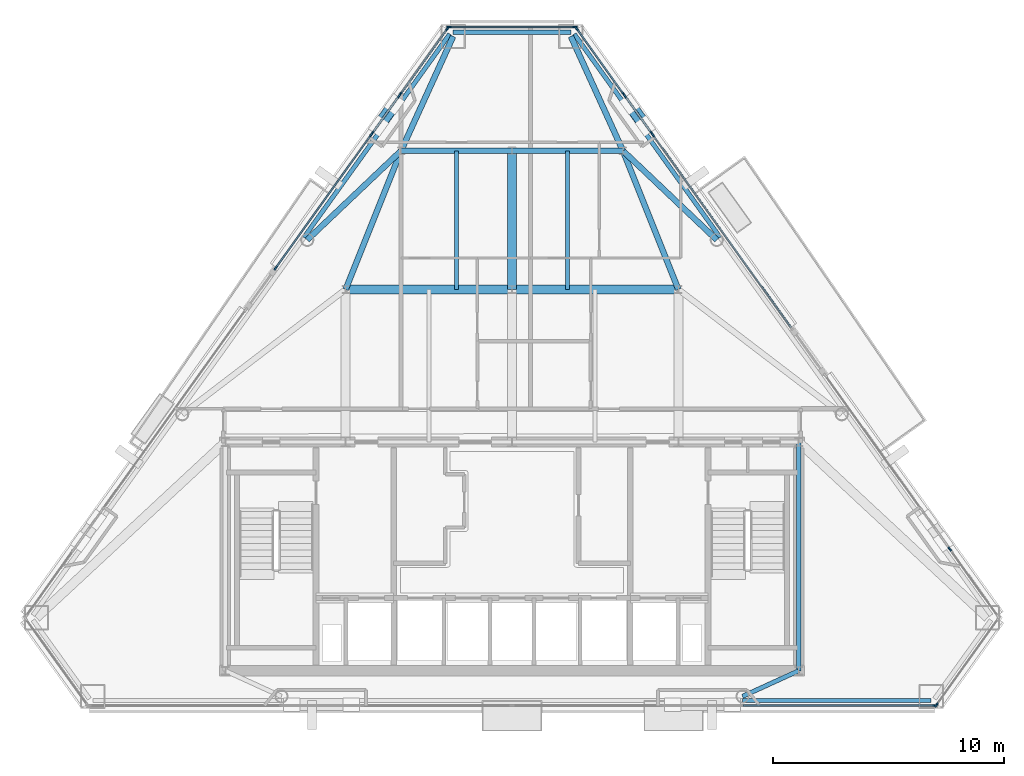
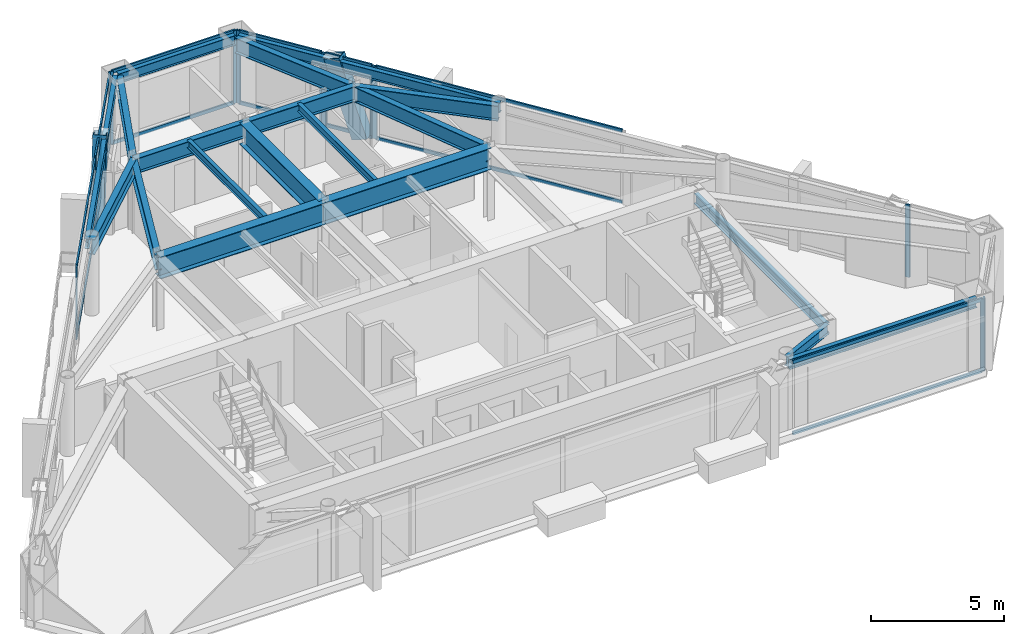
# One storey, part 4 of 11: 34 members, 19 beams, 10 elements without a shape of their own.
"""IFC4 building model written with IfcOpenShell, lengths in metres."""

import ifcopenshell
import ifcopenshell.guid

model = None  # the IFC model being written
_history = None  # IfcOwnerHistory: only IFC2X3 demands one
_inside = {}  # id of a spatial element -> (the spatial element, [elements in it])
_under = {}  # id of a project, library or spatial element -> (it, [spatial elements below it])
_declared = {}  # id of a project -> (the project, [libraries it declares])
_typed = {}  # id of a type object -> (the type object, [elements of that type])
_made_of = {}  # id of a material, layer set ... -> (it, [elements and type objects made of it])


def new_model(schema):
    """Start an empty IFC model of exactly this schema.

    Asked for "IFC4X3", IfcOpenShell would pick the latest addendum, in which some entities
    have other attributes; the version numbers below select the first issue.
    IFC2X3 requires an IfcOwnerHistory on every rooted entity: one is made here for all.
    """
    global model, _history
    if schema == "IFC4X3":
        model = ifcopenshell.file(schema_version=(4, 3, 0, 0))
    else:
        model = ifcopenshell.file(schema=schema)
    _inside.clear()
    _under.clear()
    _declared.clear()
    _typed.clear()
    _made_of.clear()
    _history = None
    if model.schema == "IFC2X3":
        org = make("IfcOrganization", Name="unknown")
        user = make(
            "IfcPersonAndOrganization",
            ThePerson=make("IfcPerson", FamilyName="unknown"),
            TheOrganization=org,
        )
        app = make(
            "IfcApplication",
            ApplicationDeveloper=org,
            Version="unknown",
            ApplicationFullName="unknown",
            ApplicationIdentifier="unknown",
        )
        _history = make(
            "IfcOwnerHistory",
            OwningUser=user,
            OwningApplication=app,
            ChangeAction="ADDED",
            CreationDate=0,
        )
    return model


def make(cls, **values):
    """One entity of the class cls with the attributes given. An attribute that is None is left unset."""
    return model.create_entity(
        cls, **{name: value for name, value in values.items() if value is not None}
    )


def rooted(cls, **values):
    """An entity with a GlobalId (a new one), such as an element, a storey or a relation."""
    return make(cls, GlobalId=ifcopenshell.guid.new(), OwnerHistory=_history, **values)


def si_unit(unit_type, name, prefix=None):
    """IfcSIUnit, for example si_unit("LENGTHUNIT", "METRE", prefix="MILLI")."""
    return make("IfcSIUnit", UnitType=unit_type, Prefix=prefix, Name=name)


def assignment(units):
    """IfcUnitAssignment: the units of a project."""
    return None if units is None else make("IfcUnitAssignment", Units=units)


def point(xyz):
    """IfcCartesianPoint."""
    return None if xyz is None else make("IfcCartesianPoint", Coordinates=xyz)


def direction(xyz):
    """IfcDirection."""
    return None if xyz is None else make("IfcDirection", DirectionRatios=xyz)


def frame(location, z_axis=None, x_axis=None):
    """IfcAxis2Placement3D, a coordinate frame: its origin and axes. An axis left out is left unset."""
    return make(
        "IfcAxis2Placement3D",
        Location=point(location),
        Axis=direction(z_axis),
        RefDirection=direction(x_axis),
    )


def frame_2d(location, x_axis=None):
    """IfcAxis2Placement2D, a coordinate frame in the plane: its origin and x axis."""
    return make(
        "IfcAxis2Placement2D", Location=point(location), RefDirection=direction(x_axis)
    )


def origin():
    """The frame at (0, 0, 0) with its axes left unset."""
    return frame((0.0, 0.0, 0.0))


def origin_2d():
    """The frame at (0, 0) in the plane with its x axis left unset."""
    return frame_2d((0.0, 0.0))


def place(relative_to, where):
    """IfcLocalPlacement: puts the frame where relative to a parent placement (None: the world)."""
    return make(
        "IfcLocalPlacement", PlacementRelTo=relative_to, RelativePlacement=where
    )


def context(
    kind, dimensions, precision=None, world=None, true_north=None, identifier=None
):
    """IfcGeometricRepresentationContext, for example the 3D "Model" context."""
    return make(
        "IfcGeometricRepresentationContext",
        ContextIdentifier=identifier,
        ContextType=kind,
        CoordinateSpaceDimension=dimensions,
        Precision=precision,
        WorldCoordinateSystem=world,
        TrueNorth=true_north,
    )


def subcontext(parent, identifier, kind, view, scale=None):
    """IfcGeometricRepresentationSubContext, for example "Body" below "Model"."""
    return make(
        "IfcGeometricRepresentationSubContext",
        ContextIdentifier=identifier,
        ContextType=kind,
        ParentContext=parent,
        TargetScale=scale,
        TargetView=view,
    )


def project(units=None, contexts=None):
    """IfcProject with its units and contexts."""
    return rooted(
        "IfcProject",
        Name="project",
        RepresentationContexts=contexts,
        UnitsInContext=assignment(units),
    )


def spatial(cls, under=None, at=None, **own):
    """A site, building, storey or space (cls), placed at a placement, below another one or the project."""
    s = rooted(cls, ObjectPlacement=at, **own)
    if under is not None:
        _under.setdefault(under.id(), (under, []))[1].append(s)
    return s


def profile(cls, at=None, kind="AREA", **sizes):
    """A parametric profile (cls). Its sizes go by their IFC names, for example OverallWidth=200.0."""
    return make(cls, ProfileType=kind, Position=at, **sizes)


def rectangle(**sizes):
    """IfcRectangleProfileDef."""
    return profile("IfcRectangleProfileDef", **sizes)


def hollow_rectangle(**sizes):
    """IfcRectangleHollowProfileDef."""
    return profile("IfcRectangleHollowProfileDef", **sizes)


def i_section(**sizes):
    """IfcIShapeProfileDef."""
    return profile("IfcIShapeProfileDef", **sizes)


def extrude(swept, where, along, depth):
    """IfcExtrudedAreaSolid: the profile swept, set in the frame where, extruded along a direction by depth."""
    return make(
        "IfcExtrudedAreaSolid",
        SweptArea=swept,
        Position=where,
        ExtrudedDirection=direction(along),
        Depth=depth,
    )


def shape(context_of_items, identifier, shape_type, items):
    """IfcShapeRepresentation: the items that make up one representation, for example the "Body"."""
    return make(
        "IfcShapeRepresentation",
        ContextOfItems=context_of_items,
        RepresentationIdentifier=identifier,
        RepresentationType=shape_type,
        Items=items,
    )


def material(Name=None, Category=None):
    """IfcMaterial."""
    return make("IfcMaterial", Name=Name, Category=Category)


def layer(
    of_material, thickness, ventilated=None, Name=None, Category=None, Priority=None
):
    """IfcMaterialLayer: one layer of a wall or slab, of a material (None: an air gap)."""
    return make(
        "IfcMaterialLayer",
        Material=of_material,
        LayerThickness=thickness,
        IsVentilated=ventilated,
        Name=Name,
        Category=Category,
        Priority=Priority,
    )


def layer_set(layers, Name=None):
    """IfcMaterialLayerSet."""
    return make("IfcMaterialLayerSet", MaterialLayers=layers, LayerSetName=Name)


def material_profile(
    of_material, cross_section, Name=None, Category=None, Priority=None
):
    """IfcMaterialProfile: a cross section and its material."""
    return make(
        "IfcMaterialProfile",
        Name=Name,
        Material=of_material,
        Profile=cross_section,
        Priority=Priority,
        Category=Category,
    )


def profile_set(profiles, Name=None, composite=None):
    """IfcMaterialProfileSet."""
    return make(
        "IfcMaterialProfileSet",
        Name=Name,
        MaterialProfiles=profiles,
        CompositeProfile=composite,
    )


def made_of(thing, what):
    """Note that an element or type object is made of a material, layer set ...; save() writes the relation."""
    if what is not None:
        _made_of.setdefault(what.id(), (what, []))[1].append(thing)
    return thing


def type_object(cls, material=None, **own):
    """A type object (cls), such as IfcWallType, which elements share."""
    return made_of(rooted(cls, **own), material)


def element(
    cls,
    number,
    at=None,
    inside=None,
    cuts=None,
    type_object=None,
    material=None,
    context=None,
    identifier="Body",
    shape_type=None,
    held_by="IfcProductDefinitionShape",
    body=None,
    shapes=None,
    **own,
):
    """One element of the class cls, such as IfcWall. Its Tag is "e" and its number.

    at: its placement. inside: the storey or other place that contains it. cuts: it is an
    opening in that element (IfcRelVoidsElement). A single representation is given by context,
    identifier, shape_type and body (its items); several are given by shapes. held_by: the class
    of the entity that holds the representations. save() writes the other relations.
    """
    e = rooted(cls, Tag="e%d" % number, ObjectPlacement=at, **own)
    if body is not None:
        shapes = [shape(context, identifier, shape_type, body)]
    if shapes is not None:
        e.Representation = make(held_by, Representations=shapes)
    if inside is not None:
        _inside.setdefault(inside.id(), (inside, []))[1].append(e)
    if cuts is not None:
        rooted(
            "IfcRelVoidsElement", RelatingBuildingElement=cuts, RelatedOpeningElement=e
        )
    if type_object is not None:
        _typed.setdefault(type_object.id(), (type_object, []))[1].append(e)
    return made_of(e, material)


def aggregate(whole, parts):
    """IfcRelAggregates: a whole, such as a stair, and the parts it consists of."""
    return rooted("IfcRelAggregates", RelatingObject=whole, RelatedObjects=parts)


def save(model, path):
    """Write the relations noted so far, then the file.

    IfcRelAggregates (storeys below a building ...), IfcRelContainedInSpatialStructure (elements
    in a storey), IfcRelDefinesByType, IfcRelAssociatesMaterial and IfcRelDeclares: one each for
    every whole, place, type object, material and project.
    """
    for whole, parts in _under.values():
        aggregate(whole, parts)
    for where, things in _inside.values():
        rooted(
            "IfcRelContainedInSpatialStructure",
            RelatedElements=things,
            RelatingStructure=where,
        )
    for kind, things in _typed.values():
        rooted("IfcRelDefinesByType", RelatedObjects=things, RelatingType=kind)
    for what, things in _made_of.values():
        rooted("IfcRelAssociatesMaterial", RelatedObjects=things, RelatingMaterial=what)
    for by, libraries in _declared.values():
        rooted("IfcRelDeclares", RelatingContext=by, RelatedDefinitions=libraries)
    model.write(path)


model = new_model("IFC4")

# Units and contexts
model_context = context("Model", 3, precision=1e-05, world=origin(), true_north=direction((0.0, 1.0)))
body_context = subcontext(model_context, "Body", "Model", "MODEL_VIEW")
ifc_project = project(units=[si_unit("LENGTHUNIT", "METRE"), si_unit("AREAUNIT", "SQUARE_METRE"), si_unit("VOLUMEUNIT", "CUBIC_METRE"), si_unit("PLANEANGLEUNIT", "RADIAN"), si_unit("MASSUNIT", "GRAM", prefix="KILO")], contexts=[model_context])

# Site, building, storey
site_placement = place(None, origin())
site = spatial("IfcSite", under=ifc_project, at=site_placement, CompositionType="ELEMENT")
building_placement = place(site_placement, origin())
building = spatial("IfcBuilding", under=site, at=building_placement, Name="Talgorran Terracotta Tower", CompositionType="ELEMENT")
storey_placement = place(building_placement, frame((0.0, 0.0, 233.39990234375)))
storey = spatial("IfcBuildingStorey", under=building, at=storey_placement, Name="L61", CompositionType="ELEMENT", Elevation=233.39990234375)

# Beams
ifc_material_1 = material(Name="Steel Grade 350 (350L0)", Category="steel")
ifc_material_profile_1 = material_profile(ifc_material_1, i_section(OverallWidth=0.39990234375, OverallDepth=1.0, WebThickness=0.01611328125, FlangeThickness=0.031005859375, at=origin_2d()), Name="1000WB296")
ifc_profile_set_1 = profile_set([ifc_material_profile_1], Name="Steel Grade 350 (350L0)")
beam_type_1 = type_object("IfcBeamType", Name="BM_1000WB296", PredefinedType="BEAM", material=ifc_profile_set_1)
for number, where, z_axis, x_axis, name in (
    (1, (-7.199951171875, 2.39990234375, 2.84521484375), (1.0, 0.0, 0.0), (0.0, 1.0, 0.0), "L61 Floor Girder G04"),
    (2, (0.0, 2.39990234375, 2.84521484375), (1.0, 0.0, 0.0), (0.0, 1.0, 0.0), "L61 Floor Girder G05"),
):
    element("IfcBeam", number, at=place(storey_placement, frame(where, z_axis=z_axis, x_axis=x_axis)), inside=storey, type_object=beam_type_1, Name=name, PredefinedType="BEAM", context=body_context, shape_type="SweptSolid", body=[
        extrude(i_section(OverallWidth=0.39990234375, OverallDepth=1.0, WebThickness=0.01611328125, FlangeThickness=0.031005859375, at=origin_2d()), origin(), (0.0, 0.0, 1.0), 7.199951171875),
    ])
beam_1_placement = place(storey_placement, frame((0.0, 2.39990234375, 2.84521484375), z_axis=(0.0, 1.0, 0.0), x_axis=(-1.0, 0.0, 0.0)))
element("IfcBeam", 3, at=beam_1_placement, inside=storey, type_object=beam_type_1, Name="L61 Floor Girder G09", PredefinedType="BEAM", context=body_context, shape_type="SweptSolid", body=[
    extrude(i_section(OverallWidth=0.39990234375, OverallDepth=1.0, WebThickness=0.01611328125, FlangeThickness=0.031005859375, at=origin_2d()), origin(), (0.0, 0.0, 1.0), 6.0),
])
ifc_material_2 = material(Name="Steel S355 (300PLUS)", Category="steel")
ifc_material_profile_2 = material_profile(ifc_material_2, i_section(OverallWidth=0.25, OverallDepth=0.699951171875, WebThickness=0.011962890625, FlangeThickness=0.02392578125, at=origin_2d()), Name="700WB150")
ifc_profile_set_2 = profile_set([ifc_material_profile_2], Name="Steel S355 (300PLUS)")
beam_type_2 = type_object("IfcBeamType", Name="BM_700WB150", PredefinedType="BEAM", material=ifc_profile_set_2)
for number, where, z_axis, x_axis, name in (
    (4, (-7.199951171875, 2.39990234375, 2.9951171875), (0.371377648723, 0.928481901832, 0.0), (-0.928481901832, 0.371377648723, 0.0), "L61 Floor Girder G08"),
    (5, (7.199951171875, 2.39990234375, 2.9951171875), (-0.371377648723, 0.928481901832, 0.0), (-0.928481901832, -0.371377648723, 0.0), "L61 Floor Girder G10"),
):
    element("IfcBeam", number, at=place(storey_placement, frame(where, z_axis=z_axis, x_axis=x_axis)), inside=storey, type_object=beam_type_2, Name=name, PredefinedType="BEAM", context=body_context, shape_type="SweptSolid", body=[
        extrude(i_section(OverallWidth=0.25, OverallDepth=0.699951171875, WebThickness=0.011962890625, FlangeThickness=0.02392578125, at=origin_2d()), origin(), (0.0, 0.0, 1.0), 6.462158203125),
    ])
for number, where, z_axis, x_axis, name in (
    (6, (-4.800048828125, 8.39990234375, 2.9951171875), (1.0, 0.0, 0.0), (0.0, 1.0, 0.0), "L61 Floor Girder G11"),
    (7, (0.0, 8.39990234375, 2.9951171875), (1.0, 0.0, 0.0), (0.0, 1.0, 0.0), "L61 Floor Girder G12"),
):
    element("IfcBeam", number, at=place(storey_placement, frame(where, z_axis=z_axis, x_axis=x_axis)), inside=storey, type_object=beam_type_2, Name=name, PredefinedType="BEAM", context=body_context, shape_type="SweptSolid", body=[
        extrude(i_section(OverallWidth=0.25, OverallDepth=0.699951171875, WebThickness=0.011962890625, FlangeThickness=0.02392578125, at=origin_2d()), origin(), (0.0, 0.0, 1.0), 4.800048828125),
    ])
for number, where, z_axis, x_axis, name in (
    (8, (-4.800048828125, 8.39990234375, 2.9951171875), (-0.725126847578, -0.688615317083, 0.0), (0.688615317083, -0.725126847578, 0.0), "L61 Floor Girder G13"),
    (9, (4.800048828125, 8.39990234375, 2.9951171875), (0.725126847578, -0.688615317083, 0.0), (0.688615317083, 0.725126847578, 0.0), "L61 Floor Girder G14"),
):
    element("IfcBeam", number, at=place(storey_placement, frame(where, z_axis=z_axis, x_axis=x_axis)), inside=storey, type_object=beam_type_2, Name=name, PredefinedType="BEAM", context=body_context, shape_type="SweptSolid", body=[
        extrude(i_section(OverallWidth=0.25, OverallDepth=0.699951171875, WebThickness=0.011962890625, FlangeThickness=0.02392578125, at=origin_2d()), origin(), (0.0, 0.0, 1.0), 5.5966796875),
    ])
for number, where, z_axis, x_axis, name in (
    (10, (-4.800048828125, 8.39990234375, 2.9951171875), (0.414262979991, 0.910157230048, 0.0), (-0.910157230048, 0.414262979991, 0.0), "L61 Floor Girder G15"),
    (11, (4.800048828125, 8.39990234375, 2.9951171875), (-0.414262979991, 0.910157230048, 0.0), (-0.910157230048, -0.414262979991, 0.0), "L61 Floor Girder G16"),
):
    element("IfcBeam", number, at=place(storey_placement, frame(where, z_axis=z_axis, x_axis=x_axis)), inside=storey, type_object=beam_type_2, Name=name, PredefinedType="BEAM", context=body_context, shape_type="SweptSolid", body=[
        extrude(i_section(OverallWidth=0.25, OverallDepth=0.699951171875, WebThickness=0.011962890625, FlangeThickness=0.02392578125, at=origin_2d()), origin(), (0.0, 0.0, 1.0), 5.437255859375),
    ])
ifc_material_profile_3 = material_profile(ifc_material_2, i_section(OverallWidth=0.17138671875, OverallDepth=0.355712890625, WebThickness=0.00732421875, FlangeThickness=0.011474609375, at=origin_2d()), Name="360UB50.7")
ifc_profile_set_3 = profile_set([ifc_material_profile_3], Name="Steel S355 (300PLUS)")
beam_type_3 = type_object("IfcBeamType", Name="BM_JS_360UB51", PredefinedType="JOIST", material=ifc_profile_set_3)
for number, where, z_axis, x_axis, name in (
    (12, (-2.39990234375, 2.39990234375, 3.167236328125), (0.0, 1.0, 0.0), (-1.0, 0.0, 0.0), "L61 Secondary Joist J03"),
    (13, (2.39990234375, 2.39990234375, 3.167236328125), (0.0, 1.0, 0.0), (-1.0, 0.0, 0.0), "L61 Secondary Joist J04"),
):
    element("IfcBeam", number, at=place(storey_placement, frame(where, z_axis=z_axis, x_axis=x_axis)), inside=storey, type_object=beam_type_3, Name=name, PredefinedType="JOIST", context=body_context, shape_type="SweptSolid", body=[
        extrude(i_section(OverallWidth=0.17138671875, OverallDepth=0.355712890625, WebThickness=0.00732421875, FlangeThickness=0.011474609375, at=origin_2d()), origin(), (0.0, 0.0, 1.0), 6.0),
    ])
ifc_material_profile_4 = material_profile(ifc_material_2, i_section(OverallWidth=0.18994140625, OverallDepth=0.45703125, WebThickness=0.009033203125, FlangeThickness=0.014404296875, at=origin_2d()), Name="460UB74.6")
ifc_profile_set_4 = profile_set([ifc_material_profile_4], Name="Steel S355 (300PLUS)")
beam_type_4 = type_object("IfcBeamType", Name="BM_SP_460UB74", PredefinedType="SPANDREL", material=ifc_profile_set_4)
beam_2_placement = place(storey_placement, frame((9.9755859375, -15.3876953125, 3.11669921875), z_axis=(1.0, 0.0, 0.0), x_axis=(0.0, 1.0, 0.0)))
element("IfcBeam", 14, at=beam_2_placement, inside=storey, type_object=beam_type_4, Name="L61 Perimeter Spandrel Beam FC2-MC3", PredefinedType="SPANDREL", context=body_context, shape_type="SweptSolid", body=[
    extrude(i_section(OverallWidth=0.18994140625, OverallDepth=0.45703125, WebThickness=0.009033203125, FlangeThickness=0.014404296875, at=origin_2d()), origin(), (0.0, 0.0, 1.0), 8.16162109375),
])
beam_3_placement = place(storey_placement, frame((9.0048828125, 4.65087890625, 3.11669921875), z_axis=(-0.5826658635, 0.812711813321, 0.0), x_axis=(-0.812711813321, -0.5826658635, 0.0)))
element("IfcBeam", 15, at=beam_3_placement, inside=storey, type_object=beam_type_4, Name="L61 Perimeter Spandrel Beam FC4-MC5", PredefinedType="SPANDREL", context=body_context, shape_type="SweptSolid", body=[
    extrude(i_section(OverallWidth=0.18994140625, OverallDepth=0.45703125, WebThickness=0.009033203125, FlangeThickness=0.014404296875, at=origin_2d()), origin(), (0.0, 0.0, 1.0), 10.831298828125),
])
beam_4_placement = place(storey_placement, frame((2.547607421875, 13.528564453125, 3.11669921875), z_axis=(-1.0, 0.0, 0.0), x_axis=(0.0, -1.0, 0.0)))
element("IfcBeam", 16, at=beam_4_placement, inside=storey, type_object=beam_type_4, Name="L61 Perimeter Spandrel Beam MC5-MC6", PredefinedType="SPANDREL", context=body_context, shape_type="SweptSolid", body=[
    extrude(i_section(OverallWidth=0.18994140625, OverallDepth=0.45703125, WebThickness=0.009033203125, FlangeThickness=0.014404296875, at=origin_2d()), origin(), (0.0, 0.0, 1.0), 5.09521484375),
])
beam_5_placement = place(storey_placement, frame((-2.69384765625, 13.45361328125, 3.11669921875), z_axis=(-0.5826658635, -0.812711813321, 0.0), x_axis=(0.812711813321, -0.5826658635, 0.0)))
element("IfcBeam", 17, at=beam_5_placement, inside=storey, type_object=beam_type_4, Name="L61 Perimeter Spandrel Beam MC6-FC5", PredefinedType="SPANDREL", context=body_context, shape_type="SweptSolid", body=[
    extrude(i_section(OverallWidth=0.18994140625, OverallDepth=0.45703125, WebThickness=0.009033203125, FlangeThickness=0.014404296875, at=origin_2d()), origin(), (0.0, 0.0, 1.0), 10.831298828125),
])
beam_6_placement = place(storey_placement, frame((12.39990234375, -14.10009765625, 3.11669921875), z_axis=(-0.909558570389, -0.415575753661, 0.0), x_axis=(0.415575753661, -0.909558570389, 0.0)))
element("IfcBeam", 18, at=beam_6_placement, inside=storey, type_object=beam_type_4, Name="L61 South-East Core Tie Beam", PredefinedType="SPANDREL", context=body_context, shape_type="SweptSolid", body=[
    extrude(i_section(OverallWidth=0.18994140625, OverallDepth=0.45703125, WebThickness=0.009033203125, FlangeThickness=0.014404296875, at=origin_2d()), origin(), (0.0, 0.0, 1.0), 2.665283203125),
])
beam_7_placement = place(storey_placement, frame((12.39990234375, -14.10009765625, 3.11669921875), z_axis=(0.0, 1.0, 0.0), x_axis=(-1.0, 0.0, 0.0)))
element("IfcBeam", 19, at=beam_7_placement, inside=storey, type_object=beam_type_4, Name="L61 Core Frame Beam CFE", PredefinedType="SPANDREL", context=body_context, shape_type="SweptSolid", body=[
    extrude(i_section(OverallWidth=0.18994140625, OverallDepth=0.45703125, WebThickness=0.009033203125, FlangeThickness=0.014404296875, at=origin_2d()), origin(), (0.0, 0.0, 1.0), 9.900146484375),
])

# Members
ifc_material_profile_5 = material_profile(ifc_material_1, hollow_rectangle(XDim=0.52001953125, YDim=0.659912109375, WallThickness=0.034912109375, at=origin_2d()), Name="WBOX660X520X35")
ifc_profile_set_5 = profile_set([ifc_material_profile_5], Name="Steel Grade 350 (350L0)")
member_type_1 = type_object("IfcMemberType", Name="MB_MEGA_660", PredefinedType="BRACE", material=ifc_profile_set_5)
for number, where, z_axis, x_axis, name in (
    (20, (5.768310546875, 9.473876953125, -0.02490234375), (-0.188542130683, 0.263047231043, 0.946180753978), (-0.81278062657, -0.582569869691, 0.0), "L61 Exterior Face Mega-Brace MB-3 (NEU)"),
    (21, (-5.768310546875, 9.473876953125, -0.02490234375), (0.188542130683, 0.263047231043, 0.946180753978), (-0.81278062657, 0.582569869691, 0.0), "L61 Exterior Face Mega-Brace MB-3 (NWU)"),
):
    element("IfcMember", number, at=place(storey_placement, frame(where, z_axis=z_axis, x_axis=x_axis)), inside=storey, type_object=member_type_1, Name=name, PredefinedType="BRACE", context=body_context, shape_type="SweptSolid", body=[
        extrude(hollow_rectangle(XDim=0.52001953125, YDim=0.659912109375, WallThickness=0.034912109375, at=origin_2d()), origin(), (0.0, 0.0, 1.0), 3.588134765625),
    ])

# Curtain wall, member
ifc_material_3 = material(Name="High-Wind Unitised Glazing", Category="glass")
ifc_layer = layer(ifc_material_3, 0.2099609375, Name="CW_SYS3_RES_HIGH")
ifc_layer_set = layer_set([ifc_layer], Name="High-Wind Unitised Glazing")
curtain_wall_type = type_object("IfcCurtainWallType", Name="CW_SYS3_RES_HIGH", PredefinedType="NOTDEFINED", material=ifc_layer_set)
curtain_wall_1_placement = place(storey_placement, origin())
curtain_wall_1 = element("IfcCurtainWall", 22, at=curtain_wall_1_placement, inside=storey, type_object=curtain_wall_type, Name="CW-L61-F1E", PredefinedType="NOTDEFINED")
ifc_material_4 = material(Name="Architectural Aluminium 6063-T6", Category="aluminium")
ifc_material_profile_6 = material_profile(ifc_material_4, rectangle(XDim=0.070068359375, YDim=0.199951171875, at=origin_2d()), Name="CWM70X200")
ifc_profile_set_6 = profile_set([ifc_material_profile_6], Name="Architectural Aluminium 6063-T6")
member_type_2 = type_object("IfcMemberType", Name="MUL_70X200", PredefinedType="MULLION", material=ifc_profile_set_6)
member_1_placement = place(storey_placement, frame((18.3076171875, -15.60791015625, 0.0), z_axis=(0.0, 0.0, 1.0), x_axis=(0.0, 1.0, 0.0)))
member_1 = element("IfcMember", 23, at=member_1_placement, type_object=member_type_2, Name="CW-L61-1E mullion 2", PredefinedType="MULLION", context=body_context, shape_type="SweptSolid", body=[
    extrude(rectangle(XDim=0.070068359375, YDim=0.199951171875, at=origin_2d()), origin(), (0.0, 0.0, 1.0), 3.34521484375),
])

curtain_wall_2_placement = place(storey_placement, origin())
curtain_wall_2 = element("IfcCurtainWall", 24, at=curtain_wall_2_placement, inside=storey, type_object=curtain_wall_type, Name="CW-L61-F2", PredefinedType="NOTDEFINED")
member_2_placement = place(storey_placement, frame((18.363037109375, -15.579345703125, 0.0), z_axis=(0.0, 0.0, 1.0), x_axis=(-0.812714993724, 0.582661427396, 0.0)))
member_2 = element("IfcMember", 25, at=member_2_placement, type_object=member_type_2, Name="CW-L61-2 mullion 1", PredefinedType="MULLION", context=body_context, shape_type="SweptSolid", body=[
    extrude(rectangle(XDim=0.070068359375, YDim=0.199951171875, at=origin_2d()), origin(), (0.0, 0.0, 1.0), 3.34521484375),
])
aggregate(curtain_wall_2, [member_2])

curtain_wall_3_placement = place(storey_placement, origin())
curtain_wall_3 = element("IfcCurtainWall", 26, at=curtain_wall_3_placement, inside=storey, type_object=curtain_wall_type, Name="CW-L61-F40B", PredefinedType="NOTDEFINED")
member_3_placement = place(storey_placement, frame((18.94091796875, -8.8310546875, 0.0), z_axis=(0.0, 0.0, 1.0), x_axis=(-0.81272322029, -0.582649952546, 0.0)))
member_3 = element("IfcMember", 27, at=member_3_placement, type_object=member_type_2, Name="CW-L61-40B mullion 1", PredefinedType="MULLION", context=body_context, shape_type="SweptSolid", body=[
    extrude(rectangle(XDim=0.070068359375, YDim=0.199951171875, at=origin_2d()), origin(), (0.0, 0.0, 1.0), 3.34521484375),
])
aggregate(curtain_wall_3, [member_3])

curtain_wall_4_placement = place(storey_placement, origin())
curtain_wall_4 = element("IfcCurtainWall", 28, at=curtain_wall_4_placement, inside=storey, type_object=curtain_wall_type, Name="CW-L61-F41", PredefinedType="NOTDEFINED")
member_4_placement = place(storey_placement, frame((6.093505859375, 9.0888671875, 0.0), z_axis=(0.0, 0.0, 1.0), x_axis=(-0.812712676558, -0.582664659441, 0.0)))
member_4 = element("IfcMember", 29, at=member_4_placement, type_object=member_type_2, Name="CW-L61-41 mullion 2", PredefinedType="MULLION", context=body_context, shape_type="SweptSolid", body=[
    extrude(rectangle(XDim=0.070068359375, YDim=0.199951171875, at=origin_2d()), origin(), (0.0, 0.0, 1.0), 3.34521484375),
])

# Curtain wall, members
curtain_wall_5_placement = place(storey_placement, origin())
curtain_wall_5 = element("IfcCurtainWall", 30, at=curtain_wall_5_placement, inside=storey, type_object=curtain_wall_type, Name="CW-L61-F41B", PredefinedType="NOTDEFINED")
member_5_placement = place(storey_placement, frame((6.047119140625, 9.154052734375, 0.0), z_axis=(0.0, 0.0, 1.0), x_axis=(-0.812700408888, -0.582681770259, 0.0)))
member_5 = element("IfcMember", 31, at=member_5_placement, type_object=member_type_2, Name="CW-L61-41B mullion 1", PredefinedType="MULLION", context=body_context, shape_type="SweptSolid", body=[
    extrude(rectangle(XDim=0.070068359375, YDim=0.199951171875, at=origin_2d()), origin(), (0.0, 0.0, 1.0), 3.34521484375),
])
member_6_placement = place(storey_placement, frame((4.878173828125, 10.7841796875, 0.0), z_axis=(0.0, 0.0, 1.0), x_axis=(-0.812700408888, -0.582681770259, 0.0)))
member_6 = element("IfcMember", 32, at=member_6_placement, type_object=member_type_2, Name="CW-L61-41B mullion 2", PredefinedType="MULLION", context=body_context, shape_type="SweptSolid", body=[
    extrude(rectangle(XDim=0.070068359375, YDim=0.199951171875, at=origin_2d()), origin(), (0.0, 0.0, 1.0), 3.34521484375),
])

curtain_wall_6_placement = place(storey_placement, origin())
curtain_wall_6 = element("IfcCurtainWall", 33, at=curtain_wall_6_placement, inside=storey, type_object=curtain_wall_type, Name="CW-L61-F41C", PredefinedType="NOTDEFINED")
member_7_placement = place(storey_placement, frame((4.83154296875, 10.849365234375, 0.0), z_axis=(0.0, 0.0, 1.0), x_axis=(-0.812706136758, -0.582673781181, 0.0)))
member_7 = element("IfcMember", 34, at=member_7_placement, type_object=member_type_2, Name="CW-L61-41C mullion 1", PredefinedType="MULLION", context=body_context, shape_type="SweptSolid", body=[
    extrude(rectangle(XDim=0.070068359375, YDim=0.199951171875, at=origin_2d()), origin(), (0.0, 0.0, 1.0), 3.34521484375),
])
member_8_placement = place(storey_placement, frame((2.796630859375, 13.687744140625, 0.0), z_axis=(0.0, 0.0, 1.0), x_axis=(-0.812706136758, -0.582673781181, 0.0)))
member_8 = element("IfcMember", 35, at=member_8_placement, type_object=member_type_2, Name="CW-L61-41C mullion 2", PredefinedType="MULLION", context=body_context, shape_type="SweptSolid", body=[
    extrude(rectangle(XDim=0.070068359375, YDim=0.199951171875, at=origin_2d()), origin(), (0.0, 0.0, 1.0), 3.34521484375),
])

curtain_wall_7_placement = place(storey_placement, origin())
curtain_wall_7 = element("IfcCurtainWall", 36, at=curtain_wall_7_placement, inside=storey, type_object=curtain_wall_type, Name="CW-L61-F4", PredefinedType="NOTDEFINED")
member_9_placement = place(storey_placement, frame((2.718017578125, 13.74853515625, 0.0), z_axis=(0.0, 0.0, 1.0), x_axis=(0.0, -1.0, 0.0)))
member_9 = element("IfcMember", 37, at=member_9_placement, type_object=member_type_2, Name="CW-L61-4 mullion 1", PredefinedType="MULLION", context=body_context, shape_type="SweptSolid", body=[
    extrude(rectangle(XDim=0.070068359375, YDim=0.199951171875, at=origin_2d()), origin(), (0.0, 0.0, 1.0), 3.34521484375),
])
member_10_placement = place(storey_placement, frame((-2.718017578125, 13.74853515625, 0.0), z_axis=(0.0, 0.0, 1.0), x_axis=(0.0, -1.0, 0.0)))
member_10 = element("IfcMember", 38, at=member_10_placement, type_object=member_type_2, Name="CW-L61-4 mullion 2", PredefinedType="MULLION", context=body_context, shape_type="SweptSolid", body=[
    extrude(rectangle(XDim=0.070068359375, YDim=0.199951171875, at=origin_2d()), origin(), (0.0, 0.0, 1.0), 3.34521484375),
])

curtain_wall_8_placement = place(storey_placement, origin())
curtain_wall_8 = element("IfcCurtainWall", 39, at=curtain_wall_8_placement, inside=storey, type_object=curtain_wall_type, Name="CW-L61-F60", PredefinedType="NOTDEFINED")
member_11_placement = place(storey_placement, frame((-2.796630859375, 13.687744140625, 0.0), z_axis=(0.0, 0.0, 1.0), x_axis=(0.812706136758, -0.582673781181, 0.0)))
member_11 = element("IfcMember", 40, at=member_11_placement, type_object=member_type_2, Name="CW-L61-60 mullion 1", PredefinedType="MULLION", context=body_context, shape_type="SweptSolid", body=[
    extrude(rectangle(XDim=0.070068359375, YDim=0.199951171875, at=origin_2d()), origin(), (0.0, 0.0, 1.0), 3.34521484375),
])
member_12_placement = place(storey_placement, frame((-4.83154296875, 10.849365234375, 0.0), z_axis=(0.0, 0.0, 1.0), x_axis=(0.812706136758, -0.582673781181, 0.0)))
member_12 = element("IfcMember", 41, at=member_12_placement, type_object=member_type_2, Name="CW-L61-60 mullion 2", PredefinedType="MULLION", context=body_context, shape_type="SweptSolid", body=[
    extrude(rectangle(XDim=0.070068359375, YDim=0.199951171875, at=origin_2d()), origin(), (0.0, 0.0, 1.0), 3.34521484375),
])

curtain_wall_9_placement = place(storey_placement, origin())
curtain_wall_9 = element("IfcCurtainWall", 42, at=curtain_wall_9_placement, inside=storey, type_object=curtain_wall_type, Name="CW-L61-F60B", PredefinedType="NOTDEFINED")
member_13_placement = place(storey_placement, frame((-4.878173828125, 10.7841796875, 0.0), z_axis=(0.0, 0.0, 1.0), x_axis=(0.812700408888, -0.582681770259, 0.0)))
member_13 = element("IfcMember", 43, at=member_13_placement, type_object=member_type_2, Name="CW-L61-60B mullion 1", PredefinedType="MULLION", context=body_context, shape_type="SweptSolid", body=[
    extrude(rectangle(XDim=0.070068359375, YDim=0.199951171875, at=origin_2d()), origin(), (0.0, 0.0, 1.0), 3.34521484375),
])
member_14_placement = place(storey_placement, frame((-6.047119140625, 9.154052734375, 0.0), z_axis=(0.0, 0.0, 1.0), x_axis=(0.812700408888, -0.582681770259, 0.0)))
member_14 = element("IfcMember", 44, at=member_14_placement, type_object=member_type_2, Name="CW-L61-60B mullion 2", PredefinedType="MULLION", context=body_context, shape_type="SweptSolid", body=[
    extrude(rectangle(XDim=0.070068359375, YDim=0.199951171875, at=origin_2d()), origin(), (0.0, 0.0, 1.0), 3.34521484375),
])

curtain_wall_10_placement = place(storey_placement, origin())
curtain_wall_10 = element("IfcCurtainWall", 45, at=curtain_wall_10_placement, inside=storey, type_object=curtain_wall_type, Name="CW-L61-F60C", PredefinedType="NOTDEFINED")
member_15_placement = place(storey_placement, frame((-6.093505859375, 9.0888671875, 0.0), z_axis=(0.0, 0.0, 1.0), x_axis=(0.812709713159, -0.582668792829, 0.0)))
member_15 = element("IfcMember", 46, at=member_15_placement, type_object=member_type_2, Name="CW-L61-60C mullion 1", PredefinedType="MULLION", context=body_context, shape_type="SweptSolid", body=[
    extrude(rectangle(XDim=0.070068359375, YDim=0.199951171875, at=origin_2d()), origin(), (0.0, 0.0, 1.0), 3.34521484375),
])
member_16_placement = place(storey_placement, frame((-10.22265625, 3.32958984375, 0.0), z_axis=(0.0, 0.0, 1.0), x_axis=(0.812709713159, -0.582668792829, 0.0)))
member_16 = element("IfcMember", 47, at=member_16_placement, type_object=member_type_2, Name="CW-L61-60C mullion 2", PredefinedType="MULLION", context=body_context, shape_type="SweptSolid", body=[
    extrude(rectangle(XDim=0.070068359375, YDim=0.199951171875, at=origin_2d()), origin(), (0.0, 0.0, 1.0), 3.34521484375),
])

# Member
ifc_material_profile_7 = material_profile(ifc_material_4, rectangle(XDim=0.070068359375, YDim=0.159912109375, at=origin_2d()), Name="CWT70X160")
ifc_profile_set_7 = profile_set([ifc_material_profile_7], Name="Architectural Aluminium 6063-T6")
member_type_3 = type_object("IfcMemberType", Name="TRN_70X160", PredefinedType="USERDEFINED", material=ifc_profile_set_7)
member_17_placement = place(storey_placement, frame((10.015625, -15.60791015625, 0.03515625), z_axis=(1.0, 0.0, 0.0), x_axis=(0.0, 1.0, 0.0)))
member_17 = element("IfcMember", 48, at=member_17_placement, type_object=member_type_3, Name="CW-L61-1E transom 1.1", ObjectType="TRANSOM", PredefinedType="USERDEFINED", context=body_context, shape_type="SweptSolid", body=[
    extrude(rectangle(XDim=0.070068359375, YDim=0.159912109375, at=origin_2d()), origin(), (0.0, 0.0, 1.0), 8.257080078125),
])

member_18_placement = place(storey_placement, frame((10.015625, -15.60791015625, 3.31005859375), z_axis=(1.0, 0.0, 0.0), x_axis=(0.0, 1.0, 0.0)))
member_18 = element("IfcMember", 49, at=member_18_placement, type_object=member_type_3, Name="CW-L61-1E transom 1.2", ObjectType="TRANSOM", PredefinedType="USERDEFINED", context=body_context, shape_type="SweptSolid", body=[
    extrude(rectangle(XDim=0.070068359375, YDim=0.159912109375, at=origin_2d()), origin(), (0.0, 0.0, 1.0), 8.257080078125),
])

aggregate(curtain_wall_1, [member_1, member_17, member_18])

member_19_placement = place(storey_placement, frame((12.06396484375, 0.76123046875, 0.03515625), z_axis=(-0.582655298116, 0.812719387967, 0.0), x_axis=(-0.812719387967, -0.582655298116, 0.0)))
member_19 = element("IfcMember", 50, at=member_19_placement, type_object=member_type_3, Name="CW-L61-41 transom 1.1", ObjectType="TRANSOM", PredefinedType="USERDEFINED", context=body_context, shape_type="SweptSolid", body=[
    extrude(rectangle(XDim=0.070068359375, YDim=0.159912109375, at=origin_2d()), origin(), (0.0, 0.0, 1.0), 10.211669921875),
])

member_20_placement = place(storey_placement, frame((12.06396484375, 0.76123046875, 3.31005859375), z_axis=(-0.582655298116, 0.812719387967, 0.0), x_axis=(-0.812719387967, -0.582655298116, 0.0)))
member_20 = element("IfcMember", 51, at=member_20_placement, type_object=member_type_3, Name="CW-L61-41 transom 1.2", ObjectType="TRANSOM", PredefinedType="USERDEFINED", context=body_context, shape_type="SweptSolid", body=[
    extrude(rectangle(XDim=0.070068359375, YDim=0.159912109375, at=origin_2d()), origin(), (0.0, 0.0, 1.0), 10.211669921875),
])

aggregate(curtain_wall_4, [member_4, member_19, member_20])

member_21_placement = place(storey_placement, frame((6.026611328125, 9.182373046875, 0.03515625), z_axis=(-0.582668913142, 0.812709626901, 0.0), x_axis=(-0.812709626901, -0.582668913142, 0.0)))
member_21 = element("IfcMember", 52, at=member_21_placement, type_object=member_type_3, Name="CW-L61-41B transom 1.1", ObjectType="TRANSOM", PredefinedType="USERDEFINED", context=body_context, shape_type="SweptSolid", body=[
    extrude(rectangle(XDim=0.070068359375, YDim=0.159912109375, at=origin_2d()), origin(), (0.0, 0.0, 1.0), 1.935791015625),
])

member_22_placement = place(storey_placement, frame((6.026611328125, 9.182373046875, 3.31005859375), z_axis=(-0.582668913142, 0.812709626901, 0.0), x_axis=(-0.812709626901, -0.582668913142, 0.0)))
member_22 = element("IfcMember", 53, at=member_22_placement, type_object=member_type_3, Name="CW-L61-41B transom 1.2", ObjectType="TRANSOM", PredefinedType="USERDEFINED", context=body_context, shape_type="SweptSolid", body=[
    extrude(rectangle(XDim=0.070068359375, YDim=0.159912109375, at=origin_2d()), origin(), (0.0, 0.0, 1.0), 1.935791015625),
])

aggregate(curtain_wall_5, [member_5, member_6, member_21, member_22])

member_23_placement = place(storey_placement, frame((4.811279296875, 10.877685546875, 0.03515625), z_axis=(-0.582708218273, 0.812681445806, 0.0), x_axis=(-0.812681445806, -0.582708218273, 0.0)))
member_23 = element("IfcMember", 54, at=member_23_placement, type_object=member_type_3, Name="CW-L61-41C transom 1.1", ObjectType="TRANSOM", PredefinedType="USERDEFINED", context=body_context, shape_type="SweptSolid", body=[
    extrude(rectangle(XDim=0.070068359375, YDim=0.159912109375, at=origin_2d()), origin(), (0.0, 0.0, 1.0), 3.422607421875),
])

member_24_placement = place(storey_placement, frame((4.811279296875, 10.877685546875, 3.31005859375), z_axis=(-0.582708218273, 0.812681445806, 0.0), x_axis=(-0.812681445806, -0.582708218273, 0.0)))
member_24 = element("IfcMember", 55, at=member_24_placement, type_object=member_type_3, Name="CW-L61-41C transom 1.2", ObjectType="TRANSOM", PredefinedType="USERDEFINED", context=body_context, shape_type="SweptSolid", body=[
    extrude(rectangle(XDim=0.070068359375, YDim=0.159912109375, at=origin_2d()), origin(), (0.0, 0.0, 1.0), 3.422607421875),
])

aggregate(curtain_wall_6, [member_7, member_8, member_23, member_24])

member_25_placement = place(storey_placement, frame((2.682861328125, 13.74853515625, 0.03515625), z_axis=(-1.0, 0.0, 0.0), x_axis=(0.0, -1.0, 0.0)))
member_25 = element("IfcMember", 56, at=member_25_placement, type_object=member_type_3, Name="CW-L61-4 transom 1.1", ObjectType="TRANSOM", PredefinedType="USERDEFINED", context=body_context, shape_type="SweptSolid", body=[
    extrude(rectangle(XDim=0.070068359375, YDim=0.159912109375, at=origin_2d()), origin(), (0.0, 0.0, 1.0), 5.36572265625),
])

member_26_placement = place(storey_placement, frame((2.682861328125, 13.74853515625, 3.31005859375), z_axis=(-1.0, 0.0, 0.0), x_axis=(0.0, -1.0, 0.0)))
member_26 = element("IfcMember", 57, at=member_26_placement, type_object=member_type_3, Name="CW-L61-4 transom 1.2", ObjectType="TRANSOM", PredefinedType="USERDEFINED", context=body_context, shape_type="SweptSolid", body=[
    extrude(rectangle(XDim=0.070068359375, YDim=0.159912109375, at=origin_2d()), origin(), (0.0, 0.0, 1.0), 5.36572265625),
])

aggregate(curtain_wall_7, [member_9, member_10, member_25, member_26])

member_27_placement = place(storey_placement, frame((-2.81689453125, 13.6591796875, 0.03515625), z_axis=(-0.582708218273, -0.812681445806, 0.0), x_axis=(0.812681445806, -0.582708218273, 0.0)))
member_27 = element("IfcMember", 58, at=member_27_placement, type_object=member_type_3, Name="CW-L61-60 transom 1.1", ObjectType="TRANSOM", PredefinedType="USERDEFINED", context=body_context, shape_type="SweptSolid", body=[
    extrude(rectangle(XDim=0.070068359375, YDim=0.159912109375, at=origin_2d()), origin(), (0.0, 0.0, 1.0), 3.422607421875),
])

member_28_placement = place(storey_placement, frame((-2.81689453125, 13.6591796875, 3.31005859375), z_axis=(-0.582708218273, -0.812681445806, 0.0), x_axis=(0.812681445806, -0.582708218273, 0.0)))
member_28 = element("IfcMember", 59, at=member_28_placement, type_object=member_type_3, Name="CW-L61-60 transom 1.2", ObjectType="TRANSOM", PredefinedType="USERDEFINED", context=body_context, shape_type="SweptSolid", body=[
    extrude(rectangle(XDim=0.070068359375, YDim=0.159912109375, at=origin_2d()), origin(), (0.0, 0.0, 1.0), 3.422607421875),
])

aggregate(curtain_wall_8, [member_11, member_12, member_27, member_28])

member_29_placement = place(storey_placement, frame((-4.898681640625, 10.755615234375, 0.03515625), z_axis=(-0.582668913142, -0.812709626901, 0.0), x_axis=(0.812709626901, -0.582668913142, 0.0)))
member_29 = element("IfcMember", 60, at=member_29_placement, type_object=member_type_3, Name="CW-L61-60B transom 1.1", ObjectType="TRANSOM", PredefinedType="USERDEFINED", context=body_context, shape_type="SweptSolid", body=[
    extrude(rectangle(XDim=0.070068359375, YDim=0.159912109375, at=origin_2d()), origin(), (0.0, 0.0, 1.0), 1.935791015625),
])

member_30_placement = place(storey_placement, frame((-4.898681640625, 10.755615234375, 3.31005859375), z_axis=(-0.582668913142, -0.812709626901, 0.0), x_axis=(0.812709626901, -0.582668913142, 0.0)))
member_30 = element("IfcMember", 61, at=member_30_placement, type_object=member_type_3, Name="CW-L61-60B transom 1.2", ObjectType="TRANSOM", PredefinedType="USERDEFINED", context=body_context, shape_type="SweptSolid", body=[
    extrude(rectangle(XDim=0.070068359375, YDim=0.159912109375, at=origin_2d()), origin(), (0.0, 0.0, 1.0), 1.935791015625),
])

aggregate(curtain_wall_9, [member_13, member_14, member_29, member_30])

member_31_placement = place(storey_placement, frame((-6.114013671875, 9.060546875, 0.03515625), z_axis=(-0.582675632235, -0.812704809633, 0.0), x_axis=(0.812704809633, -0.582675632235, 0.0)))
member_31 = element("IfcMember", 62, at=member_31_placement, type_object=member_type_3, Name="CW-L61-60C transom 1.1", ObjectType="TRANSOM", PredefinedType="USERDEFINED", context=body_context, shape_type="SweptSolid", body=[
    extrude(rectangle(XDim=0.070068359375, YDim=0.159912109375, at=origin_2d()), origin(), (0.0, 0.0, 1.0), 7.0166015625),
])

member_32_placement = place(storey_placement, frame((-6.114013671875, 9.060546875, 3.31005859375), z_axis=(-0.582675632235, -0.812704809633, 0.0), x_axis=(0.812704809633, -0.582675632235, 0.0)))
member_32 = element("IfcMember", 63, at=member_32_placement, type_object=member_type_3, Name="CW-L61-60C transom 1.2", ObjectType="TRANSOM", PredefinedType="USERDEFINED", context=body_context, shape_type="SweptSolid", body=[
    extrude(rectangle(XDim=0.070068359375, YDim=0.159912109375, at=origin_2d()), origin(), (0.0, 0.0, 1.0), 7.0166015625),
])

aggregate(curtain_wall_10, [member_15, member_16, member_31, member_32])

save(model, "model.ifc")
